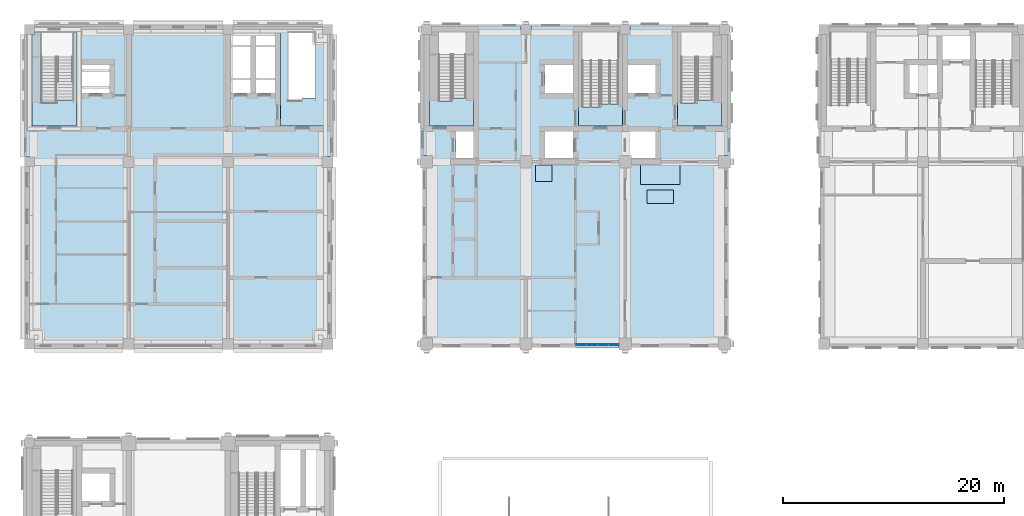
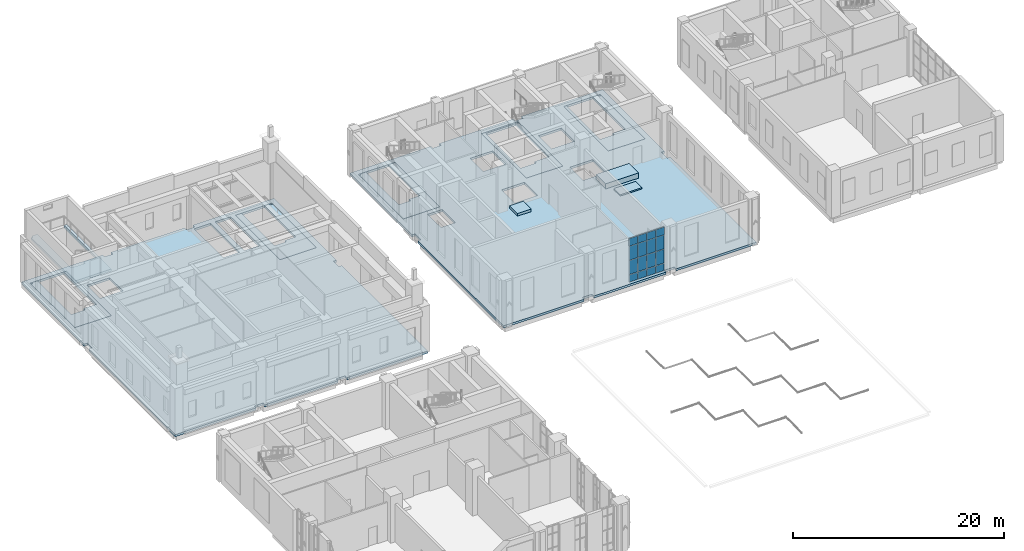
# One storey, part 14 of 37: 16 plates, 11 slabs, 5 elements without a shape of their own.
"""IFC4 building model written with IfcOpenShell, lengths in metres."""

import ifcopenshell
import ifcopenshell.guid

model = None  # the IFC model being written
_history = None  # IfcOwnerHistory: only IFC2X3 demands one
_inside = {}  # id of a spatial element -> (the spatial element, [elements in it])
_under = {}  # id of a project, library or spatial element -> (it, [spatial elements below it])
_declared = {}  # id of a project -> (the project, [libraries it declares])
_typed = {}  # id of a type object -> (the type object, [elements of that type])
_made_of = {}  # id of a material, layer set ... -> (it, [elements and type objects made of it])


def new_model(schema):
    """Start an empty IFC model of exactly this schema.

    Asked for "IFC4X3", IfcOpenShell would pick the latest addendum, in which some entities
    have other attributes; the version numbers below select the first issue.
    IFC2X3 requires an IfcOwnerHistory on every rooted entity: one is made here for all.
    """
    global model, _history
    if schema == "IFC4X3":
        model = ifcopenshell.file(schema_version=(4, 3, 0, 0))
    else:
        model = ifcopenshell.file(schema=schema)
    _inside.clear()
    _under.clear()
    _declared.clear()
    _typed.clear()
    _made_of.clear()
    _history = None
    if model.schema == "IFC2X3":
        org = make("IfcOrganization", Name="unknown")
        user = make(
            "IfcPersonAndOrganization",
            ThePerson=make("IfcPerson", FamilyName="unknown"),
            TheOrganization=org,
        )
        app = make(
            "IfcApplication",
            ApplicationDeveloper=org,
            Version="unknown",
            ApplicationFullName="unknown",
            ApplicationIdentifier="unknown",
        )
        _history = make(
            "IfcOwnerHistory",
            OwningUser=user,
            OwningApplication=app,
            ChangeAction="ADDED",
            CreationDate=0,
        )
    return model


def make(cls, **values):
    """One entity of the class cls with the attributes given. An attribute that is None is left unset."""
    return model.create_entity(
        cls, **{name: value for name, value in values.items() if value is not None}
    )


def rooted(cls, **values):
    """An entity with a GlobalId (a new one), such as an element, a storey or a relation."""
    return make(cls, GlobalId=ifcopenshell.guid.new(), OwnerHistory=_history, **values)


def si_unit(unit_type, name, prefix=None):
    """IfcSIUnit, for example si_unit("LENGTHUNIT", "METRE", prefix="MILLI")."""
    return make("IfcSIUnit", UnitType=unit_type, Prefix=prefix, Name=name)


def assignment(units):
    """IfcUnitAssignment: the units of a project."""
    return None if units is None else make("IfcUnitAssignment", Units=units)


def point(xyz):
    """IfcCartesianPoint."""
    return None if xyz is None else make("IfcCartesianPoint", Coordinates=xyz)


def direction(xyz):
    """IfcDirection."""
    return None if xyz is None else make("IfcDirection", DirectionRatios=xyz)


def frame(location, z_axis=None, x_axis=None):
    """IfcAxis2Placement3D, a coordinate frame: its origin and axes. An axis left out is left unset."""
    return make(
        "IfcAxis2Placement3D",
        Location=point(location),
        Axis=direction(z_axis),
        RefDirection=direction(x_axis),
    )


def frame_2d(location, x_axis=None):
    """IfcAxis2Placement2D, a coordinate frame in the plane: its origin and x axis."""
    return make(
        "IfcAxis2Placement2D", Location=point(location), RefDirection=direction(x_axis)
    )


def origin():
    """The frame at (0, 0, 0) with its axes left unset."""
    return frame((0.0, 0.0, 0.0))


def origin_2d():
    """The frame at (0, 0) in the plane with its x axis left unset."""
    return frame_2d((0.0, 0.0))


def place(relative_to, where):
    """IfcLocalPlacement: puts the frame where relative to a parent placement (None: the world)."""
    return make(
        "IfcLocalPlacement", PlacementRelTo=relative_to, RelativePlacement=where
    )


def context(
    kind, dimensions, precision=None, world=None, true_north=None, identifier=None
):
    """IfcGeometricRepresentationContext, for example the 3D "Model" context."""
    return make(
        "IfcGeometricRepresentationContext",
        ContextIdentifier=identifier,
        ContextType=kind,
        CoordinateSpaceDimension=dimensions,
        Precision=precision,
        WorldCoordinateSystem=world,
        TrueNorth=true_north,
    )


def subcontext(parent, identifier, kind, view, scale=None):
    """IfcGeometricRepresentationSubContext, for example "Body" below "Model"."""
    return make(
        "IfcGeometricRepresentationSubContext",
        ContextIdentifier=identifier,
        ContextType=kind,
        ParentContext=parent,
        TargetScale=scale,
        TargetView=view,
    )


def project(units=None, contexts=None):
    """IfcProject with its units and contexts."""
    return rooted(
        "IfcProject",
        Name="project",
        RepresentationContexts=contexts,
        UnitsInContext=assignment(units),
    )


def spatial(cls, under=None, at=None, **own):
    """A site, building, storey or space (cls), placed at a placement, below another one or the project."""
    s = rooted(cls, ObjectPlacement=at, **own)
    if under is not None:
        _under.setdefault(under.id(), (under, []))[1].append(s)
    return s


def polyline(points):
    """IfcPolyline through the points."""
    return make("IfcPolyline", Points=[point(p) for p in points])


def profile(cls, at=None, kind="AREA", **sizes):
    """A parametric profile (cls). Its sizes go by their IFC names, for example OverallWidth=200.0."""
    return make(cls, ProfileType=kind, Position=at, **sizes)


def rectangle(**sizes):
    """IfcRectangleProfileDef."""
    return profile("IfcRectangleProfileDef", **sizes)


def outline(outer, holes=None, kind="AREA"):
    """IfcArbitraryClosedProfileDef: a profile drawn as a closed curve; with holes, ...WithVoids."""
    if holes is None:
        return make("IfcArbitraryClosedProfileDef", ProfileType=kind, OuterCurve=outer)
    return make(
        "IfcArbitraryProfileDefWithVoids",
        ProfileType=kind,
        OuterCurve=outer,
        InnerCurves=holes,
    )


def extrude(swept, where, along, depth):
    """IfcExtrudedAreaSolid: the profile swept, set in the frame where, extruded along a direction by depth."""
    return make(
        "IfcExtrudedAreaSolid",
        SweptArea=swept,
        Position=where,
        ExtrudedDirection=direction(along),
        Depth=depth,
    )


def shape(context_of_items, identifier, shape_type, items):
    """IfcShapeRepresentation: the items that make up one representation, for example the "Body"."""
    return make(
        "IfcShapeRepresentation",
        ContextOfItems=context_of_items,
        RepresentationIdentifier=identifier,
        RepresentationType=shape_type,
        Items=items,
    )


def material(Name=None, Category=None):
    """IfcMaterial."""
    return make("IfcMaterial", Name=Name, Category=Category)


def layer(
    of_material, thickness, ventilated=None, Name=None, Category=None, Priority=None
):
    """IfcMaterialLayer: one layer of a wall or slab, of a material (None: an air gap)."""
    return make(
        "IfcMaterialLayer",
        Material=of_material,
        LayerThickness=thickness,
        IsVentilated=ventilated,
        Name=Name,
        Category=Category,
        Priority=Priority,
    )


def layer_set(layers, Name=None):
    """IfcMaterialLayerSet."""
    return make("IfcMaterialLayerSet", MaterialLayers=layers, LayerSetName=Name)


def made_of(thing, what):
    """Note that an element or type object is made of a material, layer set ...; save() writes the relation."""
    if what is not None:
        _made_of.setdefault(what.id(), (what, []))[1].append(thing)
    return thing


def type_object(cls, material=None, **own):
    """A type object (cls), such as IfcWallType, which elements share."""
    return made_of(rooted(cls, **own), material)


def element(
    cls,
    number,
    at=None,
    inside=None,
    cuts=None,
    type_object=None,
    material=None,
    context=None,
    identifier="Body",
    shape_type=None,
    held_by="IfcProductDefinitionShape",
    body=None,
    shapes=None,
    **own,
):
    """One element of the class cls, such as IfcWall. Its Tag is "e" and its number.

    at: its placement. inside: the storey or other place that contains it. cuts: it is an
    opening in that element (IfcRelVoidsElement). A single representation is given by context,
    identifier, shape_type and body (its items); several are given by shapes. held_by: the class
    of the entity that holds the representations. save() writes the other relations.
    """
    e = rooted(cls, Tag="e%d" % number, ObjectPlacement=at, **own)
    if body is not None:
        shapes = [shape(context, identifier, shape_type, body)]
    if shapes is not None:
        e.Representation = make(held_by, Representations=shapes)
    if inside is not None:
        _inside.setdefault(inside.id(), (inside, []))[1].append(e)
    if cuts is not None:
        rooted(
            "IfcRelVoidsElement", RelatingBuildingElement=cuts, RelatedOpeningElement=e
        )
    if type_object is not None:
        _typed.setdefault(type_object.id(), (type_object, []))[1].append(e)
    return made_of(e, material)


def aggregate(whole, parts):
    """IfcRelAggregates: a whole, such as a stair, and the parts it consists of."""
    return rooted("IfcRelAggregates", RelatingObject=whole, RelatedObjects=parts)


def save(model, path):
    """Write the relations noted so far, then the file.

    IfcRelAggregates (storeys below a building ...), IfcRelContainedInSpatialStructure (elements
    in a storey), IfcRelDefinesByType, IfcRelAssociatesMaterial and IfcRelDeclares: one each for
    every whole, place, type object, material and project.
    """
    for whole, parts in _under.values():
        aggregate(whole, parts)
    for where, things in _inside.values():
        rooted(
            "IfcRelContainedInSpatialStructure",
            RelatedElements=things,
            RelatingStructure=where,
        )
    for kind, things in _typed.values():
        rooted("IfcRelDefinesByType", RelatedObjects=things, RelatingType=kind)
    for what, things in _made_of.values():
        rooted("IfcRelAssociatesMaterial", RelatedObjects=things, RelatingMaterial=what)
    for by, libraries in _declared.values():
        rooted("IfcRelDeclares", RelatingContext=by, RelatedDefinitions=libraries)
    model.write(path)


model = new_model("IFC4")

# Units and contexts
model_context = context("Model", 3, precision=1e-05, world=origin(), true_north=direction((0.0, 1.0)))
body_context = subcontext(model_context, "Body", "Model", "MODEL_VIEW")
ifc_project = project(units=[si_unit("LENGTHUNIT", "METRE"), si_unit("AREAUNIT", "SQUARE_METRE"), si_unit("VOLUMEUNIT", "CUBIC_METRE"), si_unit("PLANEANGLEUNIT", "RADIAN"), si_unit("MASSUNIT", "GRAM", prefix="KILO")], contexts=[model_context])

# Site, building, storey
site_placement = place(None, origin())
site = spatial("IfcSite", under=ifc_project, at=site_placement, CompositionType="ELEMENT")
building_placement = place(site_placement, origin())
building = spatial("IfcBuilding", under=site, at=building_placement, Name="Aurelan Courthouse", CompositionType="ELEMENT")
storey_placement = place(building_placement, frame((0.0, 0.0, 17.39990234375)))
storey = spatial("IfcBuildingStorey", under=building, at=storey_placement, Name="L03", CompositionType="ELEMENT", Elevation=17.39990234375)

# Curtain wall, plates
ifc_material_1 = material(Name="Bronze-finished aluminium and glass", Category="aluminium")
ifc_layer_1 = layer(ifc_material_1, 0.14990234375)
ifc_layer_set_1 = layer_set([ifc_layer_1], Name="Bronze-finished aluminium and glass")
curtain_wall_type = type_object("IfcCurtainWallType", Name="Curtain wall 3950 x 5150", PredefinedType="NOTDEFINED", material=ifc_layer_set_1)
curtain_wall_placement = place(storey_placement, origin())
curtain_wall = element("IfcCurtainWall", 1, at=curtain_wall_placement, inside=storey, type_object=curtain_wall_type, Name="Curtain wall CW-V2-L03-S01", PredefinedType="NOTDEFINED")
ifc_material_2 = material(Name="Bronze-finished aluminium", Category="aluminium")
ifc_layer_2 = layer(ifc_material_2, 0.080078125)
ifc_layer_set_2 = layer_set([ifc_layer_2], Name="Bronze-finished aluminium")
plate_type_1 = type_object("IfcPlateType", Name="Bronze spandrel panel 80", PredefinedType="CURTAIN_PANEL", material=ifc_layer_set_2)
plate_1_placement = place(storey_placement, frame((50.00634765625, 37.425048828125, 4.22509765625), z_axis=(0.0, 0.0, 1.0), x_axis=(1.0, 0.0, 0.0)))
plate_1 = element("IfcPlate", 2, at=plate_1_placement, type_object=plate_type_1, Name="CW-V2-L03-S01 spandrel panel 1.4", PredefinedType="CURTAIN_PANEL", context=body_context, shape_type="SweptSolid", body=[
    extrude(rectangle(XDim=0.91259765625, YDim=0.080078125, at=origin_2d()), origin(), (0.0, 0.0, 1.0), 0.875),
])
plate_2_placement = place(storey_placement, frame((50.981201171875, 37.425048828125, 4.22509765625), z_axis=(0.0, 0.0, 1.0), x_axis=(1.0, 0.0, 0.0)))
plate_2 = element("IfcPlate", 3, at=plate_2_placement, type_object=plate_type_1, Name="CW-V2-L03-S01 spandrel panel 2.4", PredefinedType="CURTAIN_PANEL", context=body_context, shape_type="SweptSolid", body=[
    extrude(rectangle(XDim=0.9375, YDim=0.080078125, at=origin_2d()), origin(), (0.0, 0.0, 1.0), 0.875),
])
plate_3_placement = place(storey_placement, frame((51.96875, 37.425048828125, 4.22509765625), z_axis=(0.0, 0.0, 1.0), x_axis=(1.0, 0.0, 0.0)))
plate_3 = element("IfcPlate", 4, at=plate_3_placement, type_object=plate_type_1, Name="CW-V2-L03-S01 spandrel panel 3.4", PredefinedType="CURTAIN_PANEL", context=body_context, shape_type="SweptSolid", body=[
    extrude(rectangle(XDim=0.9375, YDim=0.080078125, at=origin_2d()), origin(), (0.0, 0.0, 1.0), 0.875),
])
plate_4_placement = place(storey_placement, frame((52.94384765625, 37.425048828125, 4.22509765625), z_axis=(0.0, 0.0, 1.0), x_axis=(1.0, 0.0, 0.0)))
plate_4 = element("IfcPlate", 5, at=plate_4_placement, type_object=plate_type_1, Name="CW-V2-L03-S01 spandrel panel 4.4", PredefinedType="CURTAIN_PANEL", context=body_context, shape_type="SweptSolid", body=[
    extrude(rectangle(XDim=0.91259765625, YDim=0.080078125, at=origin_2d()), origin(), (0.0, 0.0, 1.0), 0.875),
])

# Slabs
ifc_material_3 = material(Name="Concrete C30", Category="concrete")
ifc_layer_3 = layer(ifc_material_3, 0.14990234375)
ifc_layer_set_3 = layer_set([ifc_layer_3], Name="Concrete C30")
slab_type_1 = type_object("IfcSlabType", Name="Clerk's dais 150", PredefinedType="FLOOR", material=ifc_layer_set_3)
slab_1_placement = place(storey_placement, origin())
element("IfcSlab", 6, at=slab_1_placement, inside=storey, type_object=slab_type_1, Name="Clerk's dais Civil Courtroom 2.03.01", PredefinedType="FLOOR", context=body_context, shape_type="SweptSolid", body=[
    extrude(outline(polyline([(55.97509765625, 50.22509765625), (58.375, 50.22509765625), (58.375, 51.425048828125), (55.97509765625, 51.425048828125), (55.97509765625, 50.22509765625)])), origin(), (0.0, 0.0, 1.0), 0.150146484375),
])
ifc_layer_4 = layer(ifc_material_3, 0.610107421875)
ifc_layer_set_4 = layer_set([ifc_layer_4], Name="Concrete C30")
slab_type_2 = type_object("IfcSlabType", Name="Judge's bench dais 610", PredefinedType="FLOOR", material=ifc_layer_set_4)
slab_2_placement = place(storey_placement, origin())
element("IfcSlab", 7, at=slab_2_placement, inside=storey, type_object=slab_type_2, Name="Judge's bench dais Civil Courtroom 2.03.01", PredefinedType="FLOOR", context=body_context, shape_type="SweptSolid", body=[
    extrude(outline(polyline([(55.375, 51.925048828125), (58.97509765625, 51.925048828125), (58.97509765625, 53.72509765625), (55.375, 53.72509765625), (55.375, 51.925048828125)])), origin(), (0.0, 0.0, 1.0), 0.610107421875),
])
ifc_material_4 = material(Name="Concrete C40", Category="concrete")
ifc_layer_5 = layer(ifc_material_4, 0.25)
ifc_layer_set_5 = layer_set([ifc_layer_5], Name="Concrete C40")
slab_type_3 = type_object("IfcSlabType", Name="PT floor slab 250", PredefinedType="FLOOR", material=ifc_layer_set_5)
slab_3_placement = place(storey_placement, frame((0.0, 0.0, -0.25)))
element("IfcSlab", 8, at=slab_3_placement, inside=storey, type_object=slab_type_3, Name="Floor slab SL-L03-01", PredefinedType="FLOOR", context=body_context, shape_type="SweptSolid", body=[
    extrude(outline(polyline([(35.64990234375, 66.35009765625), (35.64990234375, 65.550048828125), (35.64990234375, 54.550048828125), (36.0, 54.550048828125), (36.0, 53.449951171875), (35.64990234375, 53.449951171875), (35.64990234375, 38.050048828125), (35.64990234375, 37.14990234375), (36.550048828125, 37.14990234375), (44.449951171875, 37.14990234375), (44.449951171875, 37.5), (45.550048828125, 37.5), (45.550048828125, 37.14990234375), (53.449951171875, 37.14990234375), (53.449951171875, 37.5), (54.550048828125, 37.5), (54.550048828125, 37.14990234375), (62.449951171875, 37.14990234375), (63.35009765625, 37.14990234375), (63.35009765625, 38.050048828125), (63.35009765625, 53.449951171875), (63.0, 53.449951171875), (63.0, 54.550048828125), (63.35009765625, 54.550048828125), (63.35009765625, 65.550048828125), (63.35009765625, 66.35009765625), (62.550048828125, 66.35009765625), (54.449951171875, 66.35009765625), (54.449951171875, 66.0), (53.550048828125, 66.0), (53.550048828125, 66.35009765625), (45.449951171875, 66.35009765625), (45.449951171875, 66.0), (44.550048828125, 66.0), (44.550048828125, 66.35009765625), (36.449951171875, 66.35009765625), (35.64990234375, 66.35009765625)]), holes=[polyline([(58.75, 65.75), (62.75, 65.75), (62.75, 57.25), (58.75, 57.25), (58.75, 65.75)]), polyline([(56.75, 56.75), (56.75, 54.25), (54.25, 54.25), (54.25, 56.75), (56.75, 56.75)]), polyline([(56.75, 60.25), (54.25, 60.25), (54.25, 62.75), (56.75, 62.75), (56.75, 60.25)]), polyline([(49.75, 57.25), (49.75, 65.75), (53.75, 65.75), (53.75, 57.25), (49.75, 57.25)]), polyline([(46.75, 56.75), (49.25, 56.75), (49.25, 54.25), (46.75, 54.25), (46.75, 56.75)]), polyline([(46.75, 60.25), (46.75, 62.75), (49.25, 62.75), (49.25, 60.25), (46.75, 60.25)]), polyline([(40.25, 56.75), (40.25, 54.25), (38.64990234375, 54.25), (38.64990234375, 56.75), (40.25, 56.75)]), polyline([(40.25, 57.25), (36.25, 57.25), (36.25, 65.75), (40.25, 65.75), (40.25, 57.25)])]), origin(), (0.0, 0.0, 1.0), 0.25),
])
slab_4_placement = place(storey_placement, frame((0.0, 0.0, -0.25)))
element("IfcSlab", 9, at=slab_4_placement, inside=storey, type_object=slab_type_3, Name="Floor slab SL-L03-04", PredefinedType="FLOOR", context=body_context, shape_type="SweptSolid", body=[
    extrude(outline(polyline([(0.0, 54.449951171875), (0.0, 53.550048828125), (-0.35009765625, 53.550048828125), (-0.35009765625, 37.949951171875), (-0.35009765625, 37.14990234375), (0.449951171875, 37.14990234375), (8.5, 37.14990234375), (8.5, 37.5), (9.5, 37.5), (9.5, 37.14990234375), (17.5, 37.14990234375), (17.5, 37.5), (18.5, 37.5), (18.5, 37.14990234375), (26.5, 37.14990234375), (27.35009765625, 37.14990234375), (27.35009765625, 38.0), (27.35009765625, 53.5), (27.0, 53.5), (27.0, 54.5), (27.35009765625, 54.5), (27.35009765625, 65.550048828125), (27.35009765625, 66.35009765625), (26.550048828125, 66.35009765625), (18.449951171875, 66.35009765625), (18.449951171875, 66.0), (17.550048828125, 66.0), (17.550048828125, 66.35009765625), (9.449951171875, 66.35009765625), (9.449951171875, 66.0), (8.550048828125, 66.0), (8.550048828125, 66.35009765625), (0.449951171875, 66.35009765625), (-0.35009765625, 66.35009765625), (-0.35009765625, 65.550048828125), (-0.35009765625, 54.449951171875), (0.0, 54.449951171875)]), holes=[polyline([(26.75, 65.75), (26.75, 57.25), (22.75, 57.25), (22.75, 65.75), (26.75, 65.75)]), polyline([(20.550048828125, 65.75), (22.25, 65.75), (22.25, 60.25), (20.550048828125, 60.25), (20.550048828125, 65.75)]), polyline([(18.25, 60.25), (18.25, 65.75), (20.050048828125, 65.75), (20.050048828125, 60.25), (18.25, 60.25)]), polyline([(7.25, 62.75), (7.25, 60.25), (4.75, 60.25), (4.75, 62.75), (7.25, 62.75)]), polyline([(4.25, 57.25), (0.25, 57.25), (0.25, 65.75), (4.25, 65.75), (4.25, 57.25)])]), origin(), (0.0, 0.0, 1.0), 0.25),
])

# Plate
ifc_layer_6 = layer(ifc_material_2, 0.0400390625)
ifc_layer_set_6 = layer_set([ifc_layer_6], Name="Bronze-finished aluminium")
plate_type_2 = type_object("IfcPlateType", Name="Sill panel 40", PredefinedType="CURTAIN_PANEL", material=ifc_layer_set_6)
plate_5_placement = place(storey_placement, frame((50.00634765625, 37.425048828125, 0.05029296875), z_axis=(0.0, 0.0, 1.0), x_axis=(1.0, 0.0, 0.0)))
plate_5 = element("IfcPlate", 10, at=plate_5_placement, type_object=plate_type_2, Name="CW-V2-L03-S01 sill panel 1.1", PredefinedType="CURTAIN_PANEL", context=body_context, shape_type="SweptSolid", body=[
    extrude(rectangle(XDim=0.91259765625, YDim=0.0400390625, at=origin_2d()), origin(), (0.0, 0.0, 1.0), 0.824951171875),
])

plate_6_placement = place(storey_placement, frame((50.981201171875, 37.425048828125, 0.05029296875), z_axis=(0.0, 0.0, 1.0), x_axis=(1.0, 0.0, 0.0)))
plate_6 = element("IfcPlate", 11, at=plate_6_placement, type_object=plate_type_2, Name="CW-V2-L03-S01 sill panel 2.1", PredefinedType="CURTAIN_PANEL", context=body_context, shape_type="SweptSolid", body=[
    extrude(rectangle(XDim=0.9375, YDim=0.0400390625, at=origin_2d()), origin(), (0.0, 0.0, 1.0), 0.824951171875),
])

plate_7_placement = place(storey_placement, frame((51.96875, 37.425048828125, 0.05029296875), z_axis=(0.0, 0.0, 1.0), x_axis=(1.0, 0.0, 0.0)))
plate_7 = element("IfcPlate", 12, at=plate_7_placement, type_object=plate_type_2, Name="CW-V2-L03-S01 sill panel 3.1", PredefinedType="CURTAIN_PANEL", context=body_context, shape_type="SweptSolid", body=[
    extrude(rectangle(XDim=0.9375, YDim=0.0400390625, at=origin_2d()), origin(), (0.0, 0.0, 1.0), 0.824951171875),
])

plate_8_placement = place(storey_placement, frame((52.94384765625, 37.425048828125, 0.05029296875), z_axis=(0.0, 0.0, 1.0), x_axis=(1.0, 0.0, 0.0)))
plate_8 = element("IfcPlate", 13, at=plate_8_placement, type_object=plate_type_2, Name="CW-V2-L03-S01 sill panel 4.1", PredefinedType="CURTAIN_PANEL", context=body_context, shape_type="SweptSolid", body=[
    extrude(rectangle(XDim=0.91259765625, YDim=0.0400390625, at=origin_2d()), origin(), (0.0, 0.0, 1.0), 0.824951171875),
])

# Stair, slab
stair_type_1 = type_object("IfcStairType", Name="Half-turn stair 1200 wide 31 risers", PredefinedType="HALF_TURN_STAIR", material=ifc_material_3)
stair_1_placement = place(storey_placement, origin())
stair_1 = element("IfcStair", 14, at=stair_1_placement, inside=storey, type_object=stair_type_1, Name="Stair CS-2-L03", PredefinedType="HALF_TURN_STAIR")
ifc_layer_7 = layer(ifc_material_3, 0.25)
ifc_layer_set_7 = layer_set([ifc_layer_7], Name="Concrete C30")
slab_type_4 = type_object("IfcSlabType", Name="Stair floor landing 250 thick", PredefinedType="LANDING", material=ifc_layer_set_7)
slab_5_placement = place(storey_placement, frame((0.0, 0.0, -0.25)))
slab_5 = element("IfcSlab", 15, at=slab_5_placement, type_object=slab_type_4, Name="Stair CS-2-L03 floor landing", PredefinedType="LANDING", context=body_context, shape_type="SweptSolid", body=[
    extrude(outline(polyline([(37.06005859375, 59.510986328125), (38.360107421875, 59.510986328125), (38.360107421875, 59.791015625), (39.56005859375, 59.791015625), (39.56005859375, 65.75), (40.25, 65.75), (40.25, 57.25), (36.25, 57.25), (36.25, 65.550048828125), (36.449951171875, 65.550048828125), (36.449951171875, 65.75), (37.06005859375, 65.75), (37.06005859375, 59.510986328125)])), origin(), (0.0, 0.0, 1.0), 0.25),
])
aggregate(stair_1, [slab_5])

# Slab
slab_6_placement = place(storey_placement, frame((0.0, 0.0, -0.25)))
element("IfcSlab", 16, at=slab_6_placement, inside=storey, type_object=slab_type_4, Name="Stair CS-6 landing L03", PredefinedType="LANDING", context=body_context, shape_type="SweptSolid", body=[
    extrude(outline(polyline([(23.43994140625, 59.510986328125), (24.739990234375, 59.510986328125), (24.739990234375, 59.791015625), (25.93994140625, 59.791015625), (25.93994140625, 65.75), (26.550048828125, 65.75), (26.550048828125, 65.550048828125), (26.75, 65.550048828125), (26.75, 57.25), (22.75, 57.25), (22.75, 65.75), (23.43994140625, 65.75), (23.43994140625, 59.510986328125)])), origin(), (0.0, 0.0, 1.0), 0.25),
])

# Stair, slab
stair_type_2 = type_object("IfcStairType", Name="Half-turn stair 1600 wide 31 risers", PredefinedType="HALF_TURN_STAIR", material=ifc_material_3)
stair_2_placement = place(storey_placement, origin())
stair_2 = element("IfcStair", 17, at=stair_2_placement, inside=storey, type_object=stair_type_2, Name="Stair ST-2A-L03", PredefinedType="HALF_TURN_STAIR")
slab_7_placement = place(storey_placement, frame((0.0, 0.0, -0.25)))
slab_7 = element("IfcSlab", 18, at=slab_7_placement, type_object=slab_type_4, Name="Stair ST-2A-L03 floor landing", PredefinedType="LANDING", context=body_context, shape_type="SweptSolid", body=[
    extrude(outline(polyline([(53.75, 57.25), (49.75, 57.25), (49.75, 65.590087890625), (49.75, 65.60009765625), (49.75, 65.75), (53.550048828125, 65.75), (53.550048828125, 65.550048828125), (53.75, 65.550048828125), (53.75, 57.25)]), holes=[polyline([(51.800048828125, 58.9609375), (51.800048828125, 59.240966796875), (53.39990234375, 59.240966796875), (53.39990234375, 65.590087890625), (50.10009765625, 65.590087890625), (50.10009765625, 58.9609375), (51.800048828125, 58.9609375)])]), origin(), (0.0, 0.0, 1.0), 0.25),
])
aggregate(stair_2, [slab_7])

stair_type_3 = type_object("IfcStairType", Name="Half-turn stair 1400 wide 31 risers", PredefinedType="HALF_TURN_STAIR", material=ifc_material_3)
stair_3_placement = place(storey_placement, origin())
stair_3 = element("IfcStair", 19, at=stair_3_placement, inside=storey, type_object=stair_type_3, Name="Stair ST-2E-L03", PredefinedType="HALF_TURN_STAIR")
slab_8_placement = place(storey_placement, frame((0.0, 0.0, -0.25)))
slab_8 = element("IfcSlab", 20, at=slab_8_placement, type_object=slab_type_4, Name="Stair ST-2E-L03 floor landing", PredefinedType="LANDING", context=body_context, shape_type="SweptSolid", body=[
    extrude(outline(polyline([(59.0400390625, 59.31103515625), (60.5400390625, 59.31103515625), (60.5400390625, 59.591064453125), (61.93994140625, 59.591064453125), (61.93994140625, 65.75), (62.550048828125, 65.75), (62.550048828125, 65.550048828125), (62.75, 65.550048828125), (62.75, 57.25), (58.75, 57.25), (58.75, 65.75), (59.0400390625, 65.75), (59.0400390625, 59.31103515625)])), origin(), (0.0, 0.0, 1.0), 0.25),
])
aggregate(stair_3, [slab_8])

stair_4_placement = place(storey_placement, origin())
stair_4 = element("IfcStair", 21, at=stair_4_placement, inside=storey, type_object=stair_type_3, Name="Stair ST-6-L03", PredefinedType="HALF_TURN_STAIR")
slab_9_placement = place(storey_placement, frame((0.0, 0.0, -0.25)))
slab_9 = element("IfcSlab", 22, at=slab_9_placement, type_object=slab_type_4, Name="Stair ST-6-L03 floor landing", PredefinedType="LANDING", context=body_context, shape_type="SweptSolid", body=[
    extrude(outline(polyline([(1.06005859375, 59.31103515625), (2.56005859375, 59.31103515625), (2.56005859375, 59.591064453125), (3.9599609375, 59.591064453125), (3.9599609375, 65.75), (4.25, 65.75), (4.25, 57.25), (0.25, 57.25), (0.25, 65.550048828125), (0.449951171875, 65.550048828125), (0.449951171875, 65.75), (1.06005859375, 65.75), (1.06005859375, 59.31103515625)])), origin(), (0.0, 0.0, 1.0), 0.25),
])
aggregate(stair_4, [slab_9])

# Slab
slab_10_placement = place(storey_placement, frame((0.0, 0.0, 5.150146484375)))
element("IfcSlab", 23, at=slab_10_placement, inside=storey, type_object=slab_type_4, Name="Stair ST-6 head landing", PredefinedType="LANDING", context=body_context, shape_type="SweptSolid", body=[
    extrude(outline(polyline([(1.06005859375, 59.31103515625), (2.56005859375, 59.31103515625), (2.56005859375, 59.591064453125), (3.9599609375, 59.591064453125), (3.9599609375, 65.75), (4.25, 65.75), (4.25, 57.25), (0.25, 57.25), (0.25, 65.550048828125), (0.449951171875, 65.550048828125), (0.449951171875, 65.75), (1.06005859375, 65.75), (1.06005859375, 59.31103515625)])), origin(), (0.0, 0.0, 1.0), 0.25),
])

# Plate
ifc_material_5 = material(Name="Laminated low-emissivity glass", Category="glass")
ifc_layer_8 = layer(ifc_material_5, 0.02392578125)
ifc_layer_set_8 = layer_set([ifc_layer_8], Name="Laminated low-emissivity glass")
plate_type_3 = type_object("IfcPlateType", Name="Vision glass panel 24", PredefinedType="CURTAIN_PANEL", material=ifc_layer_set_8)
plate_9_placement = place(storey_placement, frame((50.00634765625, 37.425048828125, 0.925048828125), z_axis=(0.0, 0.0, 1.0), x_axis=(1.0, 0.0, 0.0)))
plate_9 = element("IfcPlate", 24, at=plate_9_placement, type_object=plate_type_3, Name="CW-V2-L03-S01 vision panel 1.2", PredefinedType="CURTAIN_PANEL", context=body_context, shape_type="SweptSolid", body=[
    extrude(rectangle(XDim=0.91259765625, YDim=0.02392578125, at=origin_2d()), origin(), (0.0, 0.0, 1.0), 1.60009765625),
])

plate_10_placement = place(storey_placement, frame((50.00634765625, 37.425048828125, 2.574951171875), z_axis=(0.0, 0.0, 1.0), x_axis=(1.0, 0.0, 0.0)))
plate_10 = element("IfcPlate", 25, at=plate_10_placement, type_object=plate_type_3, Name="CW-V2-L03-S01 vision panel 1.3", PredefinedType="CURTAIN_PANEL", context=body_context, shape_type="SweptSolid", body=[
    extrude(rectangle(XDim=0.91259765625, YDim=0.02392578125, at=origin_2d()), origin(), (0.0, 0.0, 1.0), 1.60009765625),
])

plate_11_placement = place(storey_placement, frame((50.981201171875, 37.425048828125, 0.925048828125), z_axis=(0.0, 0.0, 1.0), x_axis=(1.0, 0.0, 0.0)))
plate_11 = element("IfcPlate", 26, at=plate_11_placement, type_object=plate_type_3, Name="CW-V2-L03-S01 vision panel 2.2", PredefinedType="CURTAIN_PANEL", context=body_context, shape_type="SweptSolid", body=[
    extrude(rectangle(XDim=0.9375, YDim=0.02392578125, at=origin_2d()), origin(), (0.0, 0.0, 1.0), 1.60009765625),
])

plate_12_placement = place(storey_placement, frame((50.981201171875, 37.425048828125, 2.574951171875), z_axis=(0.0, 0.0, 1.0), x_axis=(1.0, 0.0, 0.0)))
plate_12 = element("IfcPlate", 27, at=plate_12_placement, type_object=plate_type_3, Name="CW-V2-L03-S01 vision panel 2.3", PredefinedType="CURTAIN_PANEL", context=body_context, shape_type="SweptSolid", body=[
    extrude(rectangle(XDim=0.9375, YDim=0.02392578125, at=origin_2d()), origin(), (0.0, 0.0, 1.0), 1.60009765625),
])

plate_13_placement = place(storey_placement, frame((51.96875, 37.425048828125, 0.925048828125), z_axis=(0.0, 0.0, 1.0), x_axis=(1.0, 0.0, 0.0)))
plate_13 = element("IfcPlate", 28, at=plate_13_placement, type_object=plate_type_3, Name="CW-V2-L03-S01 vision panel 3.2", PredefinedType="CURTAIN_PANEL", context=body_context, shape_type="SweptSolid", body=[
    extrude(rectangle(XDim=0.9375, YDim=0.02392578125, at=origin_2d()), origin(), (0.0, 0.0, 1.0), 1.60009765625),
])

plate_14_placement = place(storey_placement, frame((51.96875, 37.425048828125, 2.574951171875), z_axis=(0.0, 0.0, 1.0), x_axis=(1.0, 0.0, 0.0)))
plate_14 = element("IfcPlate", 29, at=plate_14_placement, type_object=plate_type_3, Name="CW-V2-L03-S01 vision panel 3.3", PredefinedType="CURTAIN_PANEL", context=body_context, shape_type="SweptSolid", body=[
    extrude(rectangle(XDim=0.9375, YDim=0.02392578125, at=origin_2d()), origin(), (0.0, 0.0, 1.0), 1.60009765625),
])

plate_15_placement = place(storey_placement, frame((52.94384765625, 37.425048828125, 0.925048828125), z_axis=(0.0, 0.0, 1.0), x_axis=(1.0, 0.0, 0.0)))
plate_15 = element("IfcPlate", 30, at=plate_15_placement, type_object=plate_type_3, Name="CW-V2-L03-S01 vision panel 4.2", PredefinedType="CURTAIN_PANEL", context=body_context, shape_type="SweptSolid", body=[
    extrude(rectangle(XDim=0.91259765625, YDim=0.02392578125, at=origin_2d()), origin(), (0.0, 0.0, 1.0), 1.60009765625),
])

plate_16_placement = place(storey_placement, frame((52.94384765625, 37.425048828125, 2.574951171875), z_axis=(0.0, 0.0, 1.0), x_axis=(1.0, 0.0, 0.0)))
plate_16 = element("IfcPlate", 31, at=plate_16_placement, type_object=plate_type_3, Name="CW-V2-L03-S01 vision panel 4.3", PredefinedType="CURTAIN_PANEL", context=body_context, shape_type="SweptSolid", body=[
    extrude(rectangle(XDim=0.91259765625, YDim=0.02392578125, at=origin_2d()), origin(), (0.0, 0.0, 1.0), 1.60009765625),
])

aggregate(curtain_wall, [plate_5, plate_9, plate_10, plate_1, plate_6, plate_11, plate_12, plate_2, plate_7, plate_13, plate_14, plate_3, plate_8, plate_15, plate_16, plate_4])

# Slab
ifc_layer_9 = layer(ifc_material_3, 0.300048828125)
ifc_layer_set_9 = layer_set([ifc_layer_9], Name="Concrete C30")
slab_type_5 = type_object("IfcSlabType", Name="Witness dais 300", PredefinedType="FLOOR", material=ifc_layer_set_9)
slab_11_placement = place(storey_placement, origin())
element("IfcSlab", 32, at=slab_11_placement, inside=storey, type_object=slab_type_5, Name="Witness dais Criminal Courtroom 2.03.01", PredefinedType="FLOOR", context=body_context, shape_type="SweptSolid", body=[
    extrude(outline(polyline([(45.875, 52.22509765625), (47.375, 52.22509765625), (47.375, 53.72509765625), (45.875, 53.72509765625), (45.875, 52.22509765625)])), origin(), (0.0, 0.0, 1.0), 0.300048828125),
])

save(model, "model.ifc")
